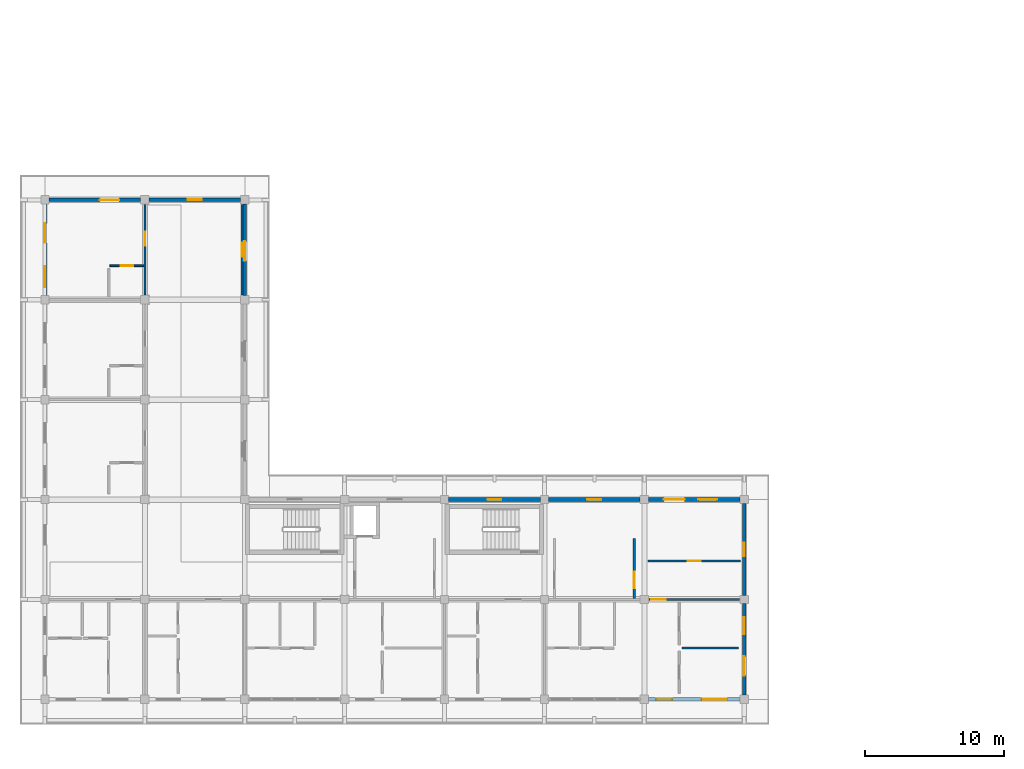
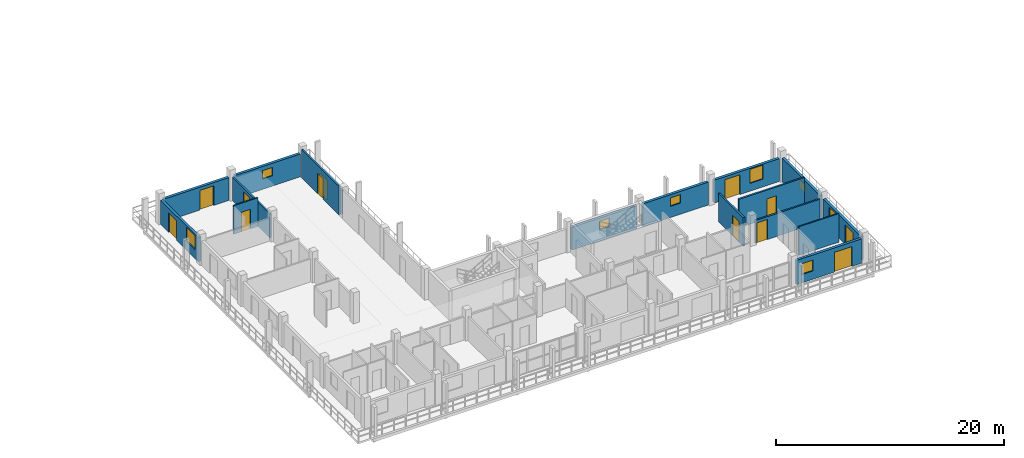
# One storey, part 41 of 75: 17 walls, 12 doors, 8 windows, 20 openings.
"""IFC4 building model written with IfcOpenShell, lengths in metres."""

from ifc_helpers import new_model, si_unit, direction, frame, frame_2d, origin, place, context, subcontext, project, spatial, rectangle, extrude, material, layer, layer_set, type_object, element, fill, save


model = new_model("IFC4")

# Units and contexts
model_context = context("Model", 3, precision=1e-05, world=origin(), true_north=direction((0.0, 1.0)))
body_context = subcontext(model_context, "Body", "Model", "MODEL_VIEW")
ifc_project = project(units=[si_unit("LENGTHUNIT", "METRE"), si_unit("AREAUNIT", "SQUARE_METRE"), si_unit("VOLUMEUNIT", "CUBIC_METRE"), si_unit("PLANEANGLEUNIT", "RADIAN"), si_unit("MASSUNIT", "GRAM", prefix="KILO")], contexts=[model_context])

# Site, building, storey
site_placement = place(None, origin())
site = spatial("IfcSite", under=ifc_project, at=site_placement, CompositionType="ELEMENT")
building_placement = place(site_placement, origin())
building = spatial("IfcBuilding", under=site, at=building_placement, Name="Suanplinth Sawtooth Commons", CompositionType="ELEMENT")
storey_placement = place(building_placement, frame((0.0, 0.0, 18.60009765625)))
storey = spatial("IfcBuildingStorey", under=building, at=storey_placement, Name="L05", CompositionType="ELEMENT", Elevation=18.60009765625)

# Wall, opening, door
ifc_material_1 = material(Name="Precast concrete C40/50", Category="concrete")
ifc_layer_1 = layer(ifc_material_1, 0.260009765625, Name="Insulated precast courtyard facade wall 260mm")
ifc_layer_set_1 = layer_set([ifc_layer_1], Name="Precast concrete C40/50")
wall_type_1 = type_object("IfcWallType", Name="W-EX02", PredefinedType="ELEMENTEDWALL", material=ifc_layer_set_1)
wall_1_placement = place(storey_placement, frame((0.300048828125, 36.0, 0.0), z_axis=(0.0, 0.0, 1.0), x_axis=(1.0, 0.0, 0.0)))
wall_1 = element("IfcWall", 1, at=wall_1_placement, inside=storey, type_object=wall_type_1, Name="Facade Wall W-L05-D-N-0-4", PredefinedType="ELEMENTEDWALL", context=body_context, shape_type="SweptSolid", body=[
    extrude(rectangle(XDim=6.599853515625, YDim=0.260009765625, at=frame_2d((3.2998046875, 0.0))), origin(), (0.0, 0.0, 1.0), 2.44482421875),
])
opening_1_placement = place(wall_1_placement, frame((3.64990234375, 0.0, 0.0)))
opening_1 = element("IfcOpeningElement", 2, at=opening_1_placement, cuts=wall_1, Name="Opening ED0466", PredefinedType="OPENING", context=body_context, shape_type="SweptSolid", body=[
    extrude(rectangle(XDim=1.39990234375, YDim=2.10009765625, at=frame_2d((0.699951171875, 1.050048828125))), frame((0.0, 0.14501953125, 0.0), z_axis=(0.0, -1.0, 0.0), x_axis=(1.0, 0.0, 0.0)), (0.0, 0.0, 1.0), 0.289794921875),
])
ifc_material_2 = material(Name="Anodized aluminium and low-E glass", Category="aluminium")
door_type_1 = type_object("IfcDoorType", Name="SD-07", OperationType="SLIDING_TO_RIGHT", PredefinedType="DOOR", material=ifc_material_2)
door_1_placement = place(opening_1_placement, frame((1.39990234375, 0.0, 0.0), z_axis=(0.0, 0.0, 1.0), x_axis=(-1.0, 0.0, 0.0)))
door_1 = element("IfcDoor", 3, at=door_1_placement, inside=storey, type_object=door_type_1, Name="End Balcony Sliding Door L05-D-N-0-4", OperationType="SLIDING_TO_RIGHT", OverallHeight=2.10009765625, OverallWidth=1.39990234375, PredefinedType="DOOR", context=body_context, shape_type="SweptSolid", body=[
    extrude(rectangle(XDim=1.39990234375, YDim=2.10009765625, at=frame_2d((0.699951171875, 1.050048828125))), frame((0.0, 0.02490234375, 0.0), z_axis=(0.0, -1.0, 0.0), x_axis=(1.0, 0.0, 0.0)), (0.0, 0.0, 1.0), 0.050048828125),
])
fill(opening_1, door_1)

# Wall, openings, door, window
wall_2_placement = place(storey_placement, frame((0.0, 29.10009765625, 0.0), z_axis=(0.0, 0.0, 1.0), x_axis=(0.0, 1.0, 0.0)))
wall_2 = element("IfcWall", 4, at=wall_2_placement, inside=storey, type_object=wall_type_1, Name="Facade Wall W-L05-D-W-0-4", PredefinedType="ELEMENTEDWALL", context=body_context, shape_type="SweptSolid", body=[
    extrude(rectangle(XDim=6.599853515625, YDim=0.260009765625, at=frame_2d((3.2998046875, 0.0))), origin(), (0.0, 0.0, 1.0), 2.594970703125),
])
opening_2_placement = place(wall_2_placement, frame((3.800048828125, 0.0, 0.0)))
opening_2 = element("IfcOpeningElement", 5, at=opening_2_placement, cuts=wall_2, Name="Opening ED0467", PredefinedType="OPENING", context=body_context, shape_type="SweptSolid", body=[
    extrude(rectangle(XDim=1.39990234375, YDim=2.10009765625, at=frame_2d((0.699951171875, 1.050048828125))), frame((0.0, 0.14501953125, 0.0), z_axis=(0.0, -1.0, 0.0), x_axis=(1.0, 0.0, 0.0)), (0.0, 0.0, 1.0), 0.289794921875),
])
opening_3_placement = place(wall_2_placement, frame((0.60009765625, 0.0, 0.949951171875)))
opening_3 = element("IfcOpeningElement", 6, at=opening_3_placement, cuts=wall_2, Name="Opening W0554", PredefinedType="OPENING", context=body_context, shape_type="SweptSolid", body=[
    extrude(rectangle(XDim=1.5, YDim=1.5, at=frame_2d((0.75, 0.75))), frame((0.0, 0.14501953125, 0.0), z_axis=(0.0, -1.0, 0.0), x_axis=(1.0, 0.0, 0.0)), (0.0, 0.0, 1.0), 0.289794921875),
])
door_2_placement = place(opening_2_placement, frame((1.39990234375, 0.0, 0.0), z_axis=(0.0, 0.0, 1.0), x_axis=(-1.0, 0.0, 0.0)))
door_2 = element("IfcDoor", 7, at=door_2_placement, inside=storey, type_object=door_type_1, Name="Wing Balcony Sliding Door L05-D-4", OperationType="SLIDING_TO_RIGHT", OverallHeight=2.10009765625, OverallWidth=1.39990234375, PredefinedType="DOOR", context=body_context, shape_type="SweptSolid", body=[
    extrude(rectangle(XDim=1.39990234375, YDim=2.10009765625, at=frame_2d((0.699951171875, 1.050048828125))), frame((0.0, 0.02490234375, 0.0), z_axis=(0.0, -1.0, 0.0), x_axis=(1.0, 0.0, 0.0)), (0.0, 0.0, 1.0), 0.050048828125),
])
fill(opening_2, door_2)
ifc_material_3 = material(Name="Thermally broken aluminium and low-E double glazing", Category="aluminium")
window_type_1 = type_object("IfcWindowType", Name="WN-02", PartitioningType="DOUBLE_PANEL_VERTICAL", PredefinedType="WINDOW", material=ifc_material_3)
window_1_placement = place(opening_3_placement, origin())
window_1 = element("IfcWindow", 8, at=window_1_placement, inside=storey, type_object=window_type_1, Name="Wing Window L05-D-4", OverallHeight=1.5, OverallWidth=1.5, PartitioningType="DOUBLE_PANEL_VERTICAL", PredefinedType="WINDOW", context=body_context, shape_type="SweptSolid", body=[
    extrude(rectangle(XDim=1.5, YDim=1.5, at=frame_2d((0.75, 0.75))), frame((0.0, 0.030029296875, 0.0), z_axis=(0.0, -1.0, 0.0), x_axis=(1.0, 0.0, 0.0)), (0.0, 0.0, 1.0), 0.06005859375),
])
fill(opening_3, window_1)

# Wall, opening, window
wall_3_placement = place(storey_placement, frame((7.5, 36.0, 0.0), z_axis=(0.0, 0.0, 1.0), x_axis=(1.0, 0.0, 0.0)))
wall_3 = element("IfcWall", 9, at=wall_3_placement, inside=storey, type_object=wall_type_1, Name="Facade Wall W-L05-D-N-1-4", PredefinedType="ELEMENTEDWALL", context=body_context, shape_type="SweptSolid", body=[
    extrude(rectangle(XDim=6.60009765625, YDim=0.260009765625, at=frame_2d((3.300048828125, 0.0))), origin(), (0.0, 0.0, 1.0), 2.44482421875),
])
opening_4_placement = place(wall_3_placement, frame((2.800048828125, 0.0, 1.10009765625)))
opening_4 = element("IfcOpeningElement", 10, at=opening_4_placement, cuts=wall_3, Name="Opening W0556", PredefinedType="OPENING", context=body_context, shape_type="SweptSolid", body=[
    extrude(rectangle(XDim=1.0, YDim=0.89990234375, at=frame_2d((0.5, 0.449951171875))), frame((0.0, 0.14501953125, 0.0), z_axis=(0.0, -1.0, 0.0), x_axis=(1.0, 0.0, 0.0)), (0.0, 0.0, 1.0), 0.289794921875),
])
window_type_2 = type_object("IfcWindowType", Name="WN-12", PartitioningType="SINGLE_PANEL", PredefinedType="WINDOW", material=ifc_material_3)
window_2_placement = place(opening_4_placement, origin())
window_2 = element("IfcWindow", 11, at=window_2_placement, inside=storey, type_object=window_type_2, Name="End Window L05-D-N-1-4", OverallHeight=0.89990234375, OverallWidth=1.0, PartitioningType="SINGLE_PANEL", PredefinedType="WINDOW", context=body_context, shape_type="SweptSolid", body=[
    extrude(rectangle(XDim=1.0, YDim=0.89990234375, at=frame_2d((0.5, 0.449951171875))), frame((0.0, 0.030029296875, 0.0), z_axis=(0.0, -1.0, 0.0), x_axis=(1.0, 0.0, 0.0)), (0.0, 0.0, 1.0), 0.06005859375),
])
fill(opening_4, window_2)

# Wall, opening, door
wall_4_placement = place(storey_placement, frame((14.39990234375, 29.10009765625, 0.0), z_axis=(0.0, 0.0, 1.0), x_axis=(0.0, 1.0, 0.0)))
wall_4 = element("IfcWall", 12, at=wall_4_placement, inside=storey, type_object=wall_type_1, Name="Facade Wall W-L05-D-E-1-4", PredefinedType="ELEMENTEDWALL", context=body_context, shape_type="SweptSolid", body=[
    extrude(rectangle(XDim=6.599853515625, YDim=0.260009765625, at=frame_2d((3.2998046875, 0.0))), origin(), (0.0, 0.0, 1.0), 2.544921875),
])
opening_5_placement = place(wall_4_placement, frame((2.5, 0.0, 0.0)))
opening_5 = element("IfcOpeningElement", 13, at=opening_5_placement, cuts=wall_4, Name="Opening ED0471", PredefinedType="OPENING", context=body_context, shape_type="SweptSolid", body=[
    extrude(rectangle(XDim=1.39990234375, YDim=2.10009765625, at=frame_2d((0.699951171875, 1.050048828125))), frame((0.0, 0.14501953125, 0.0), z_axis=(0.0, -1.0, 0.0), x_axis=(1.0, 0.0, 0.0)), (0.0, 0.0, 1.0), 0.289794921875),
])
door_3_placement = place(opening_5_placement, frame((1.39990234375, 0.0, 0.0), z_axis=(0.0, 0.0, 1.0), x_axis=(-1.0, 0.0, 0.0)))
door_3 = element("IfcDoor", 14, at=door_3_placement, inside=storey, type_object=door_type_1, Name="Courtyard Veranda Studio Balcony Door L05-D-4", OperationType="SLIDING_TO_RIGHT", OverallHeight=2.10009765625, OverallWidth=1.39990234375, PredefinedType="DOOR", context=body_context, shape_type="SweptSolid", body=[
    extrude(rectangle(XDim=1.39990234375, YDim=2.10009765625, at=frame_2d((0.699951171875, 1.050048828125))), frame((0.0, 0.02490234375, 0.0), z_axis=(0.0, -1.0, 0.0), x_axis=(1.0, 0.0, 0.0)), (0.0, 0.0, 1.0), 0.050048828125),
])
fill(opening_5, door_3)

# Wall, opening, window
wall_5_placement = place(storey_placement, frame((29.10009765625, 14.39990234375, 0.0), z_axis=(0.0, 0.0, 1.0), x_axis=(1.0, 0.0, 0.0)))
wall_5 = element("IfcWall", 15, at=wall_5_placement, inside=storey, type_object=wall_type_1, Name="Facade Wall W-L05-D-N-4-1", PredefinedType="ELEMENTEDWALL", context=body_context, shape_type="SweptSolid", body=[
    extrude(rectangle(XDim=6.599853515625, YDim=0.260009765625, at=frame_2d((3.2998046875, 0.0))), origin(), (0.0, 0.0, 1.0), 2.44482421875),
])
opening_6_placement = place(wall_5_placement, frame((2.800048828125, 0.0, 1.199951171875)))
opening_6 = element("IfcOpeningElement", 16, at=opening_6_placement, cuts=wall_5, Name="Opening W0561", PredefinedType="OPENING", context=body_context, shape_type="SweptSolid", body=[
    extrude(rectangle(XDim=1.0, YDim=0.89990234375, at=frame_2d((0.5, 0.449951171875))), frame((0.0, 0.14501953125, 0.0), z_axis=(0.0, -1.0, 0.0), x_axis=(1.0, 0.0, 0.0)), (0.0, 0.0, 1.0), 0.289794921875),
])
window_3_placement = place(opening_6_placement, origin())
window_3 = element("IfcWindow", 17, at=window_3_placement, inside=storey, type_object=window_type_2, Name="Core Daylight Window L05-D-4-1", OverallHeight=0.89990234375, OverallWidth=1.0, PartitioningType="SINGLE_PANEL", PredefinedType="WINDOW", context=body_context, shape_type="SweptSolid", body=[
    extrude(rectangle(XDim=1.0, YDim=0.89990234375, at=frame_2d((0.5, 0.449951171875))), frame((0.0, 0.030029296875, 0.0), z_axis=(0.0, -1.0, 0.0), x_axis=(1.0, 0.0, 0.0)), (0.0, 0.0, 1.0), 0.06005859375),
])
fill(opening_6, window_3)

wall_6_placement = place(storey_placement, frame((36.300048828125, 14.39990234375, 0.0), z_axis=(0.0, 0.0, 1.0), x_axis=(1.0, 0.0, 0.0)))
wall_6 = element("IfcWall", 18, at=wall_6_placement, inside=storey, type_object=wall_type_1, Name="Facade Wall W-L05-D-N-5-1", PredefinedType="ELEMENTEDWALL", context=body_context, shape_type="SweptSolid", body=[
    extrude(rectangle(XDim=6.599853515625, YDim=0.260009765625, at=frame_2d((3.2998046875, 0.0))), origin(), (0.0, 0.0, 1.0), 2.44482421875),
])
opening_7_placement = place(wall_6_placement, frame((2.800048828125, 0.0, 1.199951171875)))
opening_7 = element("IfcOpeningElement", 19, at=opening_7_placement, cuts=wall_6, Name="Opening W0562", PredefinedType="OPENING", context=body_context, shape_type="SweptSolid", body=[
    extrude(rectangle(XDim=1.0, YDim=0.89990234375, at=frame_2d((0.5, 0.449951171875))), frame((0.0, 0.14501953125, 0.0), z_axis=(0.0, -1.0, 0.0), x_axis=(1.0, 0.0, 0.0)), (0.0, 0.0, 1.0), 0.289794921875),
])
window_4_placement = place(opening_7_placement, origin())
window_4 = element("IfcWindow", 20, at=window_4_placement, inside=storey, type_object=window_type_2, Name="Core Daylight Window L05-D-5-1", OverallHeight=0.89990234375, OverallWidth=1.0, PartitioningType="SINGLE_PANEL", PredefinedType="WINDOW", context=body_context, shape_type="SweptSolid", body=[
    extrude(rectangle(XDim=1.0, YDim=0.89990234375, at=frame_2d((0.5, 0.449951171875))), frame((0.0, 0.030029296875, 0.0), z_axis=(0.0, -1.0, 0.0), x_axis=(1.0, 0.0, 0.0)), (0.0, 0.0, 1.0), 0.06005859375),
])
fill(opening_7, window_4)

# Wall, openings, door, window
wall_7_placement = place(storey_placement, frame((43.5, 0.0, 0.0), z_axis=(0.0, 0.0, 1.0), x_axis=(1.0, 0.0, 0.0)))
wall_7 = element("IfcWall", 21, at=wall_7_placement, inside=storey, type_object=wall_type_1, Name="Facade Wall W-L05-D-S-6-0", PredefinedType="ELEMENTEDWALL", context=body_context, shape_type="SweptSolid", body=[
    extrude(rectangle(XDim=6.60009765625, YDim=0.260009765625, at=frame_2d((3.300048828125, 0.0))), origin(), (0.0, 0.0, 1.0), 2.594970703125),
])
opening_8_placement = place(wall_7_placement, frame((3.85009765625, 0.0, 0.0)))
opening_8 = element("IfcOpeningElement", 22, at=opening_8_placement, cuts=wall_7, Name="Opening ED0474", PredefinedType="OPENING", context=body_context, shape_type="SweptSolid", body=[
    extrude(rectangle(XDim=1.800048828125, YDim=2.1201171875, at=frame_2d((0.89990234375, 1.06005859375))), frame((0.0, 0.14501953125, 0.0), z_axis=(0.0, -1.0, 0.0), x_axis=(1.0, 0.0, 0.0)), (0.0, 0.0, 1.0), 0.289794921875),
])
opening_9_placement = place(wall_7_placement, frame((0.550048828125, 0.0, 0.89990234375)))
opening_9 = element("IfcOpeningElement", 23, at=opening_9_placement, cuts=wall_7, Name="Opening W0563", PredefinedType="OPENING", context=body_context, shape_type="SweptSolid", body=[
    extrude(rectangle(XDim=1.14990234375, YDim=1.14990234375, at=frame_2d((0.574951171875, 0.574951171875))), frame((0.0, 0.14501953125, 0.0), z_axis=(0.0, -1.0, 0.0), x_axis=(1.0, 0.0, 0.0)), (0.0, 0.0, 1.0), 0.289794921875),
])
door_type_2 = type_object("IfcDoorType", Name="SD-01", OperationType="SLIDING_TO_LEFT", PredefinedType="DOOR", material=ifc_material_2)
door_4_placement = place(opening_8_placement, frame((1.800048828125, 0.0, 0.0), z_axis=(0.0, 0.0, 1.0), x_axis=(-1.0, 0.0, 0.0)))
door_4 = element("IfcDoor", 24, at=door_4_placement, inside=storey, type_object=door_type_2, Name="Balcony Sliding Door L05-D-6", OperationType="SLIDING_TO_LEFT", OverallHeight=2.1201171875, OverallWidth=1.800048828125, PredefinedType="DOOR", context=body_context, shape_type="SweptSolid", body=[
    extrude(rectangle(XDim=1.800048828125, YDim=2.1201171875, at=frame_2d((0.89990234375, 1.06005859375))), frame((0.0, 0.02490234375, 0.0), z_axis=(0.0, -1.0, 0.0), x_axis=(1.0, 0.0, 0.0)), (0.0, 0.0, 1.0), 0.050048828125),
])
fill(opening_8, door_4)
window_type_3 = type_object("IfcWindowType", Name="WN-20", PartitioningType="SINGLE_PANEL", PredefinedType="WINDOW", material=ifc_material_3)
window_5_placement = place(opening_9_placement, origin())
window_5 = element("IfcWindow", 25, at=window_5_placement, inside=storey, type_object=window_type_3, Name="Apartment Window L05-D-6", OverallHeight=1.14990234375, OverallWidth=1.14990234375, PartitioningType="SINGLE_PANEL", PredefinedType="WINDOW", context=body_context, shape_type="SweptSolid", body=[
    extrude(rectangle(XDim=1.14990234375, YDim=1.14990234375, at=frame_2d((0.574951171875, 0.574951171875))), frame((0.0, 0.030029296875, 0.0), z_axis=(0.0, -1.0, 0.0), x_axis=(1.0, 0.0, 0.0)), (0.0, 0.0, 1.0), 0.06005859375),
])
fill(opening_9, window_5)

wall_8_placement = place(storey_placement, frame((50.39990234375, 0.300048828125, 0.0), z_axis=(0.0, 0.0, 1.0), x_axis=(0.0, 1.0, 0.0)))
wall_8 = element("IfcWall", 26, at=wall_8_placement, inside=storey, type_object=wall_type_1, Name="Facade Wall W-L05-D-E-6-0", PredefinedType="ELEMENTEDWALL", context=body_context, shape_type="SweptSolid", body=[
    extrude(rectangle(XDim=6.599853515625, YDim=0.260009765625, at=frame_2d((3.2998046875, 0.0))), origin(), (0.0, 0.0, 1.0), 2.544921875),
])
opening_10_placement = place(wall_8_placement, frame((1.39990234375, 0.0, 0.0)))
opening_10 = element("IfcOpeningElement", 27, at=opening_10_placement, cuts=wall_8, Name="Opening ED0475", PredefinedType="OPENING", context=body_context, shape_type="SweptSolid", body=[
    extrude(rectangle(XDim=1.39990234375, YDim=2.10009765625, at=frame_2d((0.699951171875, 1.050048828125))), frame((0.0, 0.14501953125, 0.0), z_axis=(0.0, -1.0, 0.0), x_axis=(1.0, 0.0, 0.0)), (0.0, 0.0, 1.0), 0.289794921875),
])
opening_11_placement = place(wall_8_placement, frame((4.39990234375, 0.0, 0.949951171875)))
opening_11 = element("IfcOpeningElement", 28, at=opening_11_placement, cuts=wall_8, Name="Opening W0564", PredefinedType="OPENING", context=body_context, shape_type="SweptSolid", body=[
    extrude(rectangle(XDim=1.199951171875, YDim=1.35009765625, at=frame_2d((0.60009765625, 0.675048828125))), frame((0.0, 0.14501953125, 0.0), z_axis=(0.0, -1.0, 0.0), x_axis=(1.0, 0.0, 0.0)), (0.0, 0.0, 1.0), 0.289794921875),
])
door_5_placement = place(opening_10_placement, frame((1.39990234375, 0.0, 0.0), z_axis=(0.0, 0.0, 1.0), x_axis=(-1.0, 0.0, 0.0)))
door_5 = element("IfcDoor", 29, at=door_5_placement, inside=storey, type_object=door_type_1, Name="End Balcony Sliding Door L05-D-E-6-0", OperationType="SLIDING_TO_RIGHT", OverallHeight=2.10009765625, OverallWidth=1.39990234375, PredefinedType="DOOR", context=body_context, shape_type="SweptSolid", body=[
    extrude(rectangle(XDim=1.39990234375, YDim=2.10009765625, at=frame_2d((0.699951171875, 1.050048828125))), frame((0.0, 0.02490234375, 0.0), z_axis=(0.0, -1.0, 0.0), x_axis=(1.0, 0.0, 0.0)), (0.0, 0.0, 1.0), 0.050048828125),
])
fill(opening_10, door_5)
window_type_4 = type_object("IfcWindowType", Name="WN-03", PartitioningType="SINGLE_PANEL", PredefinedType="WINDOW", material=ifc_material_3)
window_6_placement = place(opening_11_placement, origin())
window_6 = element("IfcWindow", 30, at=window_6_placement, inside=storey, type_object=window_type_4, Name="End Bedroom Window L05-D-6-0", OverallHeight=1.35009765625, OverallWidth=1.199951171875, PartitioningType="SINGLE_PANEL", PredefinedType="WINDOW", context=body_context, shape_type="SweptSolid", body=[
    extrude(rectangle(XDim=1.199951171875, YDim=1.35009765625, at=frame_2d((0.60009765625, 0.675048828125))), frame((0.0, 0.030029296875, 0.0), z_axis=(0.0, -1.0, 0.0), x_axis=(1.0, 0.0, 0.0)), (0.0, 0.0, 1.0), 0.06005859375),
])
fill(opening_11, window_6)

wall_9_placement = place(storey_placement, frame((43.5, 14.39990234375, 0.0), z_axis=(0.0, 0.0, 1.0), x_axis=(1.0, 0.0, 0.0)))
wall_9 = element("IfcWall", 31, at=wall_9_placement, inside=storey, type_object=wall_type_1, Name="Facade Wall W-L05-D-N-6-1", PredefinedType="ELEMENTEDWALL", context=body_context, shape_type="SweptSolid", body=[
    extrude(rectangle(XDim=6.60009765625, YDim=0.260009765625, at=frame_2d((3.300048828125, 0.0))), origin(), (0.0, 0.0, 1.0), 2.44482421875),
])
opening_12_placement = place(wall_9_placement, frame((1.10009765625, 0.0, 0.0)))
opening_12 = element("IfcOpeningElement", 32, at=opening_12_placement, cuts=wall_9, Name="Opening ED0476", PredefinedType="OPENING", context=body_context, shape_type="SweptSolid", body=[
    extrude(rectangle(XDim=1.5, YDim=2.1201171875, at=frame_2d((0.75, 1.06005859375))), frame((0.0, 0.14501953125, 0.0), z_axis=(0.0, -1.0, 0.0), x_axis=(1.0, 0.0, 0.0)), (0.0, 0.0, 1.0), 0.289794921875),
])
opening_13_placement = place(wall_9_placement, frame((3.60009765625, 0.0, 0.8349609375)))
opening_13 = element("IfcOpeningElement", 33, at=opening_13_placement, cuts=wall_9, Name="Opening W0565", PredefinedType="OPENING", context=body_context, shape_type="SweptSolid", body=[
    extrude(rectangle(XDim=1.35009765625, YDim=1.5, at=frame_2d((0.675048828125, 0.75))), frame((0.0, 0.14501953125, 0.0), z_axis=(0.0, -1.0, 0.0), x_axis=(1.0, 0.0, 0.0)), (0.0, 0.0, 1.0), 0.289794921875),
])
door_type_3 = type_object("IfcDoorType", Name="SD-03", OperationType="SLIDING_TO_LEFT", PredefinedType="DOOR", material=ifc_material_2)
door_6_placement = place(opening_12_placement, frame((1.5, 0.0, 0.0), z_axis=(0.0, 0.0, 1.0), x_axis=(-1.0, 0.0, 0.0)))
door_6 = element("IfcDoor", 34, at=door_6_placement, inside=storey, type_object=door_type_3, Name="Courtyard Balcony Door L05-D-6", OperationType="SLIDING_TO_LEFT", OverallHeight=2.1201171875, OverallWidth=1.5, PredefinedType="DOOR", context=body_context, shape_type="SweptSolid", body=[
    extrude(rectangle(XDim=1.5, YDim=2.1201171875, at=frame_2d((0.75, 1.06005859375))), frame((0.0, 0.02490234375, 0.0), z_axis=(0.0, -1.0, 0.0), x_axis=(1.0, 0.0, 0.0)), (0.0, 0.0, 1.0), 0.050048828125),
])
fill(opening_12, door_6)
window_type_5 = type_object("IfcWindowType", Name="WN-14", PartitioningType="SINGLE_PANEL", PredefinedType="WINDOW", material=ifc_material_3)
window_7_placement = place(opening_13_placement, origin())
window_7 = element("IfcWindow", 35, at=window_7_placement, inside=storey, type_object=window_type_5, Name="Courtyard Window L05-D-6", OverallHeight=1.5, OverallWidth=1.35009765625, PartitioningType="SINGLE_PANEL", PredefinedType="WINDOW", context=body_context, shape_type="SweptSolid", body=[
    extrude(rectangle(XDim=1.35009765625, YDim=1.5, at=frame_2d((0.675048828125, 0.75))), frame((0.0, 0.030029296875, 0.0), z_axis=(0.0, -1.0, 0.0), x_axis=(1.0, 0.0, 0.0)), (0.0, 0.0, 1.0), 0.06005859375),
])
fill(opening_13, window_7)

# Wall, opening, window
wall_10_placement = place(storey_placement, frame((50.39990234375, 7.5, 0.0), z_axis=(0.0, 0.0, 1.0), x_axis=(0.0, 1.0, 0.0)))
wall_10 = element("IfcWall", 36, at=wall_10_placement, inside=storey, type_object=wall_type_1, Name="Facade Wall W-L05-D-E-6-1", PredefinedType="ELEMENTEDWALL", context=body_context, shape_type="SweptSolid", body=[
    extrude(rectangle(XDim=6.60009765625, YDim=0.260009765625, at=frame_2d((3.300048828125, 0.0))), origin(), (0.0, 0.0, 1.0), 2.544921875),
])
opening_14_placement = place(wall_10_placement, frame((2.800048828125, 0.0, 1.10009765625)))
opening_14 = element("IfcOpeningElement", 37, at=opening_14_placement, cuts=wall_10, Name="Opening W0566", PredefinedType="OPENING", context=body_context, shape_type="SweptSolid", body=[
    extrude(rectangle(XDim=1.0, YDim=0.89990234375, at=frame_2d((0.5, 0.449951171875))), frame((0.0, 0.14501953125, 0.0), z_axis=(0.0, -1.0, 0.0), x_axis=(1.0, 0.0, 0.0)), (0.0, 0.0, 1.0), 0.289794921875),
])
window_8_placement = place(opening_14_placement, origin())
window_8 = element("IfcWindow", 38, at=window_8_placement, inside=storey, type_object=window_type_2, Name="End Window L05-D-E-6-1", OverallHeight=0.89990234375, OverallWidth=1.0, PartitioningType="SINGLE_PANEL", PredefinedType="WINDOW", context=body_context, shape_type="SweptSolid", body=[
    extrude(rectangle(XDim=1.0, YDim=0.89990234375, at=frame_2d((0.5, 0.449951171875))), frame((0.0, 0.030029296875, 0.0), z_axis=(0.0, -1.0, 0.0), x_axis=(1.0, 0.0, 0.0)), (0.0, 0.0, 1.0), 0.06005859375),
])
fill(opening_14, window_8)

# Wall, opening, door
ifc_layer_2 = layer(ifc_material_1, 0.159912109375, Name="Fire-rated corridor and lobby wall 160mm")
ifc_layer_set_2 = layer_set([ifc_layer_2], Name="Precast concrete C40/50")
wall_type_2 = type_object("IfcWallType", Name="W-FW01", PredefinedType="PARTITIONING", material=ifc_layer_set_2)
wall_11_placement = place(storey_placement, frame((42.47998046875, 7.280029296875, 0.0), z_axis=(0.0, 0.0, 1.0), x_axis=(0.0, 1.0, 0.0)))
wall_11 = element("IfcWall", 39, at=wall_11_placement, inside=storey, type_object=wall_type_2, Name="W-L05-C-D2-LOB-E", PredefinedType="PARTITIONING", context=body_context, shape_type="SweptSolid", body=[
    extrude(rectangle(XDim=4.320068359375, YDim=0.159912109375, at=frame_2d((2.16015625, 0.0))), origin(), (0.0, 0.0, 1.0), 3.059814453125),
])
opening_15_placement = place(wall_11_placement, frame((0.719970703125, 0.0, 0.0)))
opening_15 = element("IfcOpeningElement", 40, at=opening_15_placement, cuts=wall_11, Name="Opening FD0417", PredefinedType="OPENING", context=body_context, shape_type="SweptSolid", body=[
    extrude(rectangle(XDim=1.199951171875, YDim=2.199951171875, at=frame_2d((0.60009765625, 1.10009765625))), frame((0.0, 0.0947265625, 0.0), z_axis=(0.0, -1.0, 0.0), x_axis=(1.0, 0.0, 0.0)), (0.0, 0.0, 1.0), 0.189697265625),
])
ifc_material_4 = material(Name="Teak hardwood fire-rated door assembly", Category="wood")
door_type_4 = type_object("IfcDoorType", Name="FD-02", OperationType="NOTDEFINED", PredefinedType="DOOR", material=ifc_material_4)
door_7_placement = place(opening_15_placement, frame((1.199951171875, 0.0, 0.0), z_axis=(0.0, 0.0, 1.0), x_axis=(-1.0, 0.0, 0.0)))
door_7 = element("IfcDoor", 41, at=door_7_placement, inside=storey, type_object=door_type_4, Name="Lobby Fire Door FD0417", OperationType="SINGLE_SWING_RIGHT", OverallHeight=2.199951171875, OverallWidth=1.199951171875, PredefinedType="DOOR", context=body_context, shape_type="SweptSolid", body=[
    extrude(rectangle(XDim=1.199951171875, YDim=2.199951171875, at=frame_2d((0.60009765625, 1.10009765625))), frame((0.0, 0.02490234375, 0.0), z_axis=(0.0, -1.0, 0.0), x_axis=(1.0, 0.0, 0.0)), (0.0, 0.0, 1.0), 0.050048828125),
])
fill(opening_15, door_7)

wall_12_placement = place(storey_placement, frame((43.530029296875, 7.199951171875, 0.0), z_axis=(0.0, 0.0, 1.0), x_axis=(1.0, 0.0, 0.0)))
wall_12 = element("IfcWall", 42, at=wall_12_placement, inside=storey, type_object=wall_type_2, Name="W-D-L05-U05-COR-S2", PredefinedType="PARTITIONING", context=body_context, shape_type="SweptSolid", body=[
    extrude(rectangle(XDim=6.5400390625, YDim=0.159912109375, at=frame_2d((3.27001953125, 0.0))), origin(), (0.0, 0.0, 1.0), 2.44482421875),
])
opening_16_placement = place(wall_12_placement, frame((0.179931640625, 0.0, 0.0)))
opening_16 = element("IfcOpeningElement", 43, at=opening_16_placement, cuts=wall_12, Name="Opening FD1340", PredefinedType="OPENING", context=body_context, shape_type="SweptSolid", body=[
    extrude(rectangle(XDim=1.050048828125, YDim=2.14990234375, at=frame_2d((0.52490234375, 1.074951171875))), frame((0.0, 0.0947265625, 0.0), z_axis=(0.0, -1.0, 0.0), x_axis=(1.0, 0.0, 0.0)), (0.0, 0.0, 1.0), 0.189697265625),
])
door_type_5 = type_object("IfcDoorType", Name="FD-04", OperationType="NOTDEFINED", PredefinedType="DOOR", material=ifc_material_4)
door_8_placement = place(opening_16_placement, frame((1.050048828125, 0.0, 0.0), z_axis=(0.0, 0.0, 1.0), x_axis=(-1.0, 0.0, 0.0)))
door_8 = element("IfcDoor", 44, at=door_8_placement, inside=storey, type_object=door_type_5, Name="Unit Entrance Door FD1340", OperationType="SINGLE_SWING_RIGHT", OverallHeight=2.14990234375, OverallWidth=1.050048828125, PredefinedType="DOOR", context=body_context, shape_type="SweptSolid", body=[
    extrude(rectangle(XDim=1.050048828125, YDim=2.14990234375, at=frame_2d((0.52490234375, 1.074951171875))), frame((0.0, 0.02490234375, 0.0), z_axis=(0.0, -1.0, 0.0), x_axis=(1.0, 0.0, 0.0)), (0.0, 0.0, 1.0), 0.050048828125),
])
fill(opening_16, door_8)

wall_13_placement = place(storey_placement, frame((43.47998046875, 9.97998046875, 0.0), z_axis=(0.0, 0.0, 1.0), x_axis=(1.0, 0.0, 0.0)))
wall_13 = element("IfcWall", 45, at=wall_13_placement, inside=storey, type_object=wall_type_2, Name="W-D-L05-COURTROOM-59-COR", PredefinedType="PARTITIONING", context=body_context, shape_type="SweptSolid", body=[
    extrude(rectangle(XDim=6.64013671875, YDim=0.159912109375, at=frame_2d((3.320068359375, 0.0))), origin(), (0.0, 0.0, 1.0), 3.059814453125),
])
opening_17_placement = place(wall_13_placement, frame((2.85009765625, 0.0, 0.0)))
opening_17 = element("IfcOpeningElement", 46, at=opening_17_placement, cuts=wall_13, Name="Opening D1345", PredefinedType="OPENING", context=body_context, shape_type="SweptSolid", body=[
    extrude(rectangle(XDim=0.93994140625, YDim=2.1201171875, at=frame_2d((0.469970703125, 1.06005859375))), frame((0.0, 0.0947265625, 0.0), z_axis=(0.0, -1.0, 0.0), x_axis=(1.0, 0.0, 0.0)), (0.0, 0.0, 1.0), 0.189697265625),
])
ifc_material_5 = material(Name="Teak hardwood", Category="wood")
door_type_6 = type_object("IfcDoorType", Name="D-15", OperationType="NOTDEFINED", PredefinedType="DOOR", material=ifc_material_5)
door_9_placement = place(opening_17_placement, origin())
door_9 = element("IfcDoor", 47, at=door_9_placement, inside=storey, type_object=door_type_6, Name="Study Studio Door D1345", OperationType="SINGLE_SWING_LEFT", OverallHeight=2.1201171875, OverallWidth=0.93994140625, PredefinedType="DOOR", context=body_context, shape_type="SweptSolid", body=[
    extrude(rectangle(XDim=0.93994140625, YDim=2.1201171875, at=frame_2d((0.469970703125, 1.06005859375))), frame((0.0, 0.02490234375, 0.0), z_axis=(0.0, -1.0, 0.0), x_axis=(1.0, 0.0, 0.0)), (0.0, 0.0, 1.0), 0.050048828125),
])
fill(opening_17, door_9)

wall_14_placement = place(storey_placement, frame((7.199951171875, 29.1298828125, 0.0), z_axis=(0.0, 0.0, 1.0), x_axis=(0.0, 1.0, 0.0)))
wall_14 = element("IfcWall", 48, at=wall_14_placement, inside=storey, type_object=wall_type_2, Name="W-D-L05-L03-COR", PredefinedType="PARTITIONING", context=body_context, shape_type="SweptSolid", body=[
    extrude(rectangle(XDim=6.5400390625, YDim=0.159912109375, at=frame_2d((3.27001953125, 0.0))), origin(), (0.0, 0.0, 1.0), 2.544921875),
])
opening_18_placement = place(wall_14_placement, frame((3.570068359375, 0.0, 0.0)))
opening_18 = element("IfcOpeningElement", 49, at=opening_18_placement, cuts=wall_14, Name="Opening FD1352", PredefinedType="OPENING", context=body_context, shape_type="SweptSolid", body=[
    extrude(rectangle(XDim=1.0, YDim=2.14990234375, at=frame_2d((0.5, 1.074951171875))), frame((0.0, 0.0947265625, 0.0), z_axis=(0.0, -1.0, 0.0), x_axis=(1.0, 0.0, 0.0)), (0.0, 0.0, 1.0), 0.189697265625),
])
door_type_7 = type_object("IfcDoorType", Name="FD-03", OperationType="NOTDEFINED", PredefinedType="DOOR", material=ifc_material_4)
door_10_placement = place(opening_18_placement, origin())
door_10 = element("IfcDoor", 50, at=door_10_placement, inside=storey, type_object=door_type_7, Name="Wing Unit Entrance Door FD1352", OperationType="SINGLE_SWING_RIGHT", OverallHeight=2.14990234375, OverallWidth=1.0, PredefinedType="DOOR", context=body_context, shape_type="SweptSolid", body=[
    extrude(rectangle(XDim=1.0, YDim=2.14990234375, at=frame_2d((0.5, 1.074951171875))), frame((0.0, 0.02490234375, 0.0), z_axis=(0.0, -1.0, 0.0), x_axis=(1.0, 0.0, 0.0)), (0.0, 0.0, 1.0), 0.050048828125),
])
fill(opening_18, door_10)

wall_15_placement = place(storey_placement, frame((14.199951171875, 29.1298828125, 0.0), z_axis=(0.0, 0.0, 1.0), x_axis=(0.0, 1.0, 0.0)))
wall_15 = element("IfcWall", 51, at=wall_15_placement, inside=storey, type_object=wall_type_2, Name="W-D-L05-LEGCOURTROOM-65-COR", PredefinedType="PARTITIONING", context=body_context, shape_type="SweptSolid", body=[
    extrude(rectangle(XDim=6.5400390625, YDim=0.159912109375, at=frame_2d((3.27001953125, 0.0))), origin(), (0.0, 0.0, 1.0), 3.059814453125),
])
opening_19_placement = place(wall_15_placement, frame((2.760009765625, 0.0, 0.0)))
opening_19 = element("IfcOpeningElement", 52, at=opening_19_placement, cuts=wall_15, Name="Opening D1354", PredefinedType="OPENING", context=body_context, shape_type="SweptSolid", body=[
    extrude(rectangle(XDim=1.02001953125, YDim=2.179931640625, at=frame_2d((0.510009765625, 1.08984375))), frame((0.0, 0.0947265625, 0.0), z_axis=(0.0, -1.0, 0.0), x_axis=(1.0, 0.0, 0.0)), (0.0, 0.0, 1.0), 0.189697265625),
])
door_type_8 = type_object("IfcDoorType", Name="D-16", OperationType="NOTDEFINED", PredefinedType="DOOR", material=ifc_material_5)
door_11_placement = place(opening_19_placement, frame((1.02001953125, 0.0, 0.0), z_axis=(0.0, 0.0, 1.0), x_axis=(-1.0, 0.0, 0.0)))
door_11 = element("IfcDoor", 53, at=door_11_placement, inside=storey, type_object=door_type_8, Name="Veranda Studio Door D1354", OperationType="SINGLE_SWING_RIGHT", OverallHeight=2.179931640625, OverallWidth=1.02001953125, PredefinedType="DOOR", context=body_context, shape_type="SweptSolid", body=[
    extrude(rectangle(XDim=1.02001953125, YDim=2.179931640625, at=frame_2d((0.510009765625, 1.08984375))), frame((0.0, 0.02490234375, 0.0), z_axis=(0.0, -1.0, 0.0), x_axis=(1.0, 0.0, 0.0)), (0.0, 0.0, 1.0), 0.050048828125),
])
fill(opening_19, door_11)

ifc_material_6 = material(Name="Gypsum plasterboard on steel stud", Category="steel")
ifc_layer_3 = layer(ifc_material_6, 0.1298828125, Name="Moisture-resistant bathroom partition 130mm")
ifc_layer_set_3 = layer_set([ifc_layer_3], Name="Gypsum plasterboard on steel stud")
wall_type_3 = type_object("IfcWallType", Name="W-PT02", PredefinedType="PARTITIONING", material=ifc_layer_set_3)
wall_16_placement = place(storey_placement, frame((4.669921875, 31.2451171875, 0.0), z_axis=(0.0, 0.0, 1.0), x_axis=(1.0, 0.0, 0.0)))
wall_16 = element("IfcWall", 54, at=wall_16_placement, inside=storey, type_object=wall_type_3, Name="W-D-L05-L03-BTH1", PredefinedType="PARTITIONING", context=body_context, shape_type="SweptSolid", body=[
    extrude(rectangle(XDim=2.4501953125, YDim=0.1298828125, at=frame_2d((1.22509765625, 0.0))), origin(), (0.0, 0.0, 1.0), 3.059814453125),
])
opening_20_placement = place(wall_16_placement, frame((0.77490234375, 0.0, 0.0)))
opening_20 = element("IfcOpeningElement", 55, at=opening_20_placement, cuts=wall_16, Name="Opening D1353", PredefinedType="OPENING", context=body_context, shape_type="SweptSolid", body=[
    extrude(rectangle(XDim=0.89990234375, YDim=2.10009765625, at=frame_2d((0.449951171875, 1.050048828125))), frame((0.0, 0.079833984375, 0.0), z_axis=(0.0, -1.0, 0.0), x_axis=(1.0, 0.0, 0.0)), (0.0, 0.0, 1.0), 0.15966796875),
])
door_type_9 = type_object("IfcDoorType", Name="D-01", OperationType="NOTDEFINED", PredefinedType="DOOR", material=ifc_material_5)
door_12_placement = place(opening_20_placement, frame((0.89990234375, 0.0, 0.0), z_axis=(0.0, 0.0, 1.0), x_axis=(-1.0, 0.0, 0.0)))
door_12 = element("IfcDoor", 56, at=door_12_placement, inside=storey, type_object=door_type_9, Name="Bathroom Door D1353", OperationType="SINGLE_SWING_LEFT", OverallHeight=2.10009765625, OverallWidth=0.89990234375, PredefinedType="DOOR", context=body_context, shape_type="SweptSolid", body=[
    extrude(rectangle(XDim=0.89990234375, YDim=2.10009765625, at=frame_2d((0.449951171875, 1.050048828125))), frame((0.0, 0.02490234375, 0.0), z_axis=(0.0, -1.0, 0.0), x_axis=(1.0, 0.0, 0.0)), (0.0, 0.0, 1.0), 0.050048828125),
])
fill(opening_20, door_12)

# Wall
ifc_layer_4 = layer(ifc_material_6, 0.125, Name="Acoustic study partition 125mm")
ifc_layer_set_4 = layer_set([ifc_layer_4], Name="Gypsum plasterboard on steel stud")
wall_type_4 = type_object("IfcWallType", Name="W-PT06", PredefinedType="PARTITIONING", material=ifc_layer_set_4)
wall_17_placement = place(storey_placement, frame((45.919921875, 3.699951171875, 0.0), z_axis=(0.0, 0.0, 1.0), x_axis=(1.0, 0.0, 0.0)))
element("IfcWall", 57, at=wall_17_placement, inside=storey, type_object=wall_type_4, Name="W-D-L05-U05-BEDDIV", PredefinedType="PARTITIONING", context=body_context, shape_type="SweptSolid", body=[
    extrude(rectangle(XDim=4.06005859375, YDim=0.125, at=frame_2d((2.030029296875, 0.0))), origin(), (0.0, 0.0, 1.0), 3.059814453125),
])

save(model, "model.ifc")
